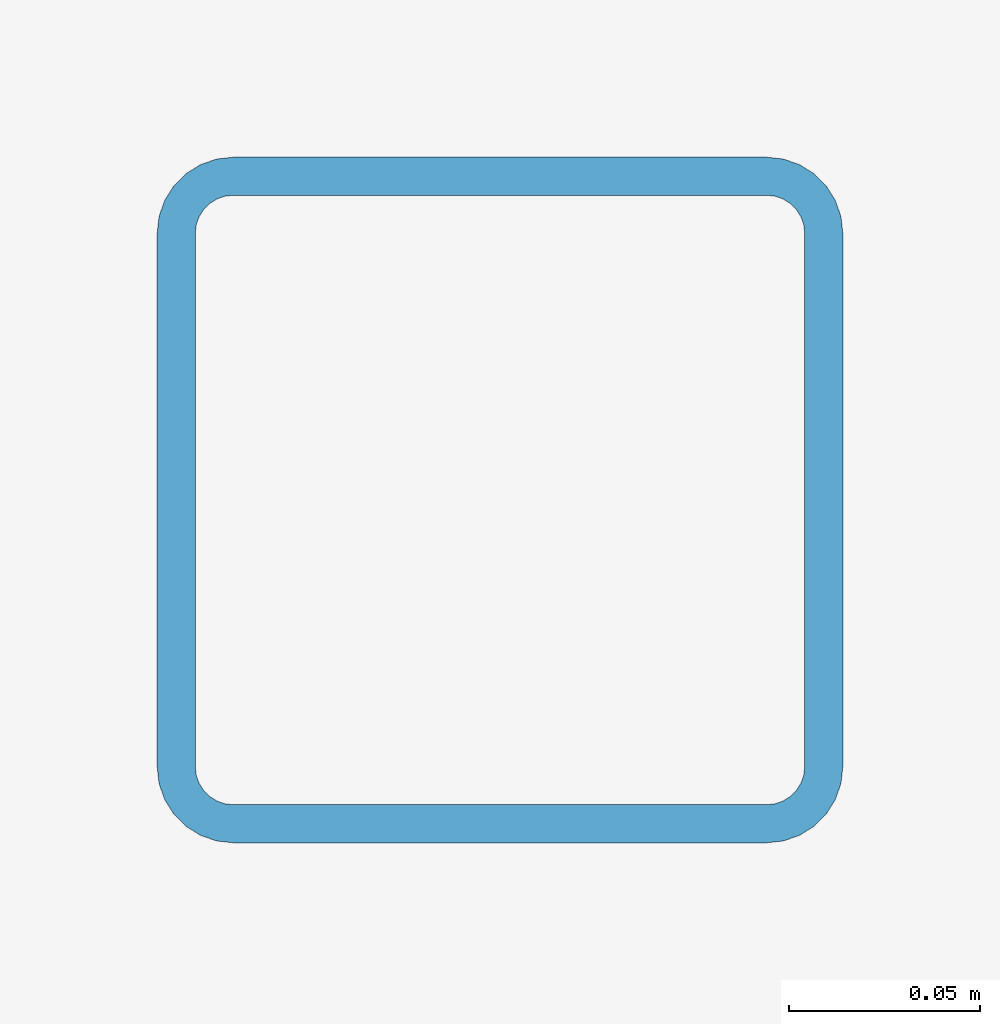
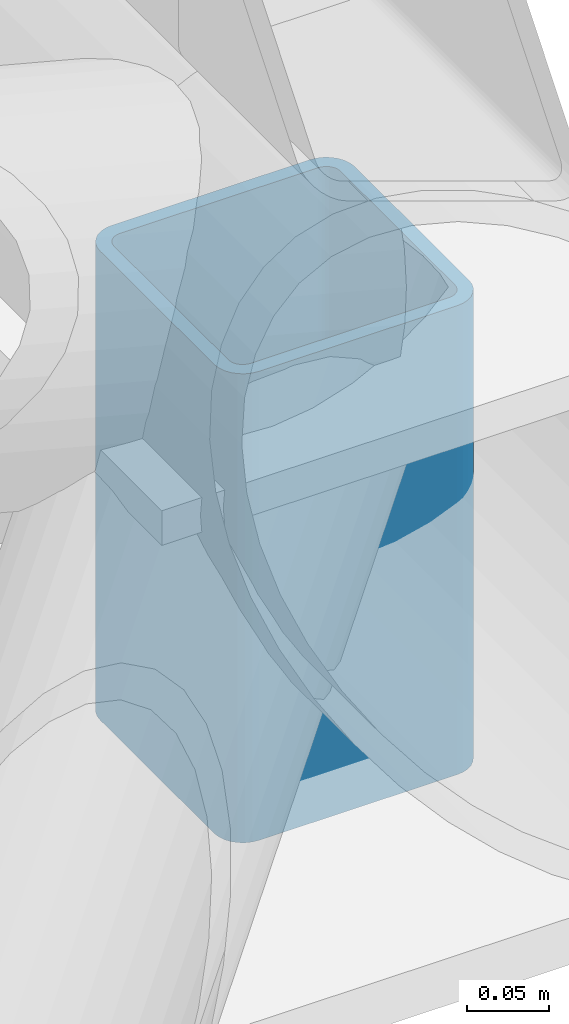
# One storey, part 37 of 60: 1 member.
"""IFC4 building model written with IfcOpenShell, lengths in metres."""

from ifc_helpers import new_model, si_unit, direction, frame, origin, origin_2d, place, context, subcontext, project, spatial, hollow_rectangle, extrude, material, material_profile, profile_set, type_object, element, save


model = new_model("IFC4")

# Units and contexts
model_context = context("Model", 3, precision=1e-05, world=origin(), true_north=direction((0.0, 1.0)))
body_context = subcontext(model_context, "Body", "Model", "MODEL_VIEW")
ifc_project = project(units=[si_unit("LENGTHUNIT", "METRE"), si_unit("AREAUNIT", "SQUARE_METRE"), si_unit("VOLUMEUNIT", "CUBIC_METRE"), si_unit("PLANEANGLEUNIT", "RADIAN"), si_unit("MASSUNIT", "GRAM", prefix="KILO")], contexts=[model_context])

# Site, building, storey
site_placement = place(None, origin())
site = spatial("IfcSite", under=ifc_project, at=site_placement, CompositionType="ELEMENT")
building_placement = place(site_placement, origin())
building = spatial("IfcBuilding", under=site, at=building_placement, Name="Nakhvara Creek Congress Hotel", CompositionType="ELEMENT")
storey_placement = place(building_placement, frame((0.0, 0.0, 54.60009765625)))
storey = spatial("IfcBuildingStorey", under=building, at=storey_placement, Name="RL1", CompositionType="ELEMENT", Elevation=54.60009765625)

# Member
ifc_material = material(Name="Steel S355J2H", Category="steel")
ifc_material_profile = material_profile(ifc_material, hollow_rectangle(XDim=0.179931640625, YDim=0.179931640625, WallThickness=0.010009765625, InnerFilletRadius=0.010009765625, OuterFilletRadius=0.02001953125, at=origin_2d()), Name="SHS 180x180x10.0", Category="LoadBearing")
ifc_profile_set = profile_set([ifc_material_profile], Name="Steel S355J2H")
member_type = type_object("IfcMemberType", Name="MEM-STR-SHS180", PredefinedType="STRUT", material=ifc_profile_set)
member_placement = place(storey_placement, frame((53.25, 62.39990234375, -35.400146484375), z_axis=(0.0, 0.0, 1.0), x_axis=(1.0, 0.0, 0.0)))
element("IfcMember", 1, at=member_placement, inside=storey, type_object=member_type, Name="Congress Roof Truss Bearing Strut 063", PredefinedType="STRUT", context=body_context, shape_type="SweptSolid", body=[
    extrude(hollow_rectangle(XDim=0.179931640625, YDim=0.179931640625, WallThickness=0.010009765625, InnerFilletRadius=0.010009765625, OuterFilletRadius=0.02001953125, at=origin_2d()), origin(), (0.0, 0.0, 1.0), 0.35009765625),
])

save(model, "model.ifc")
